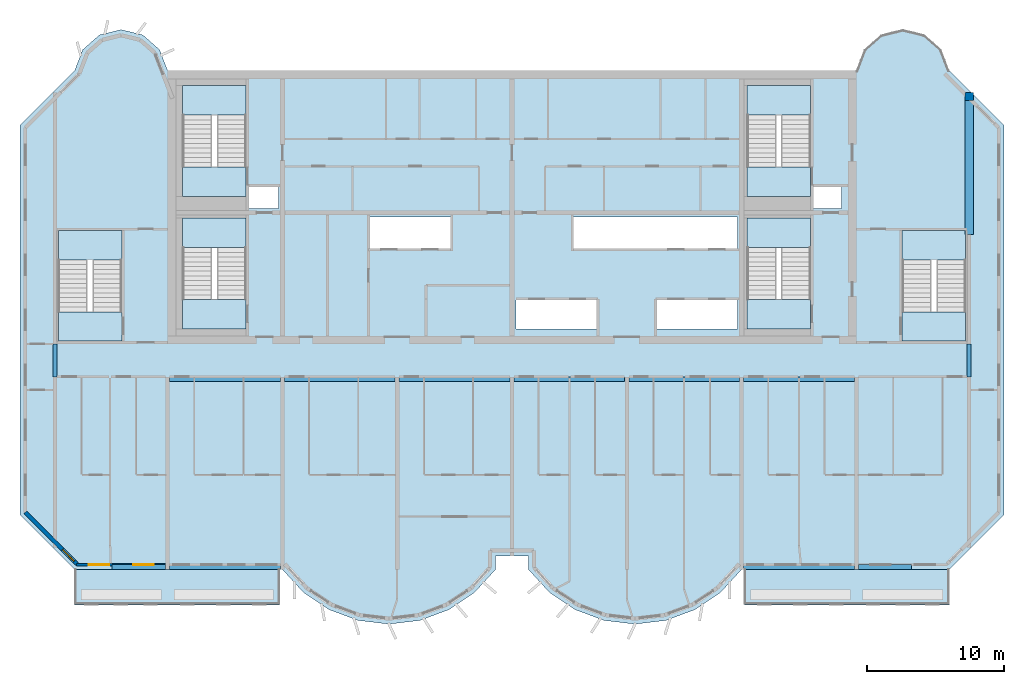
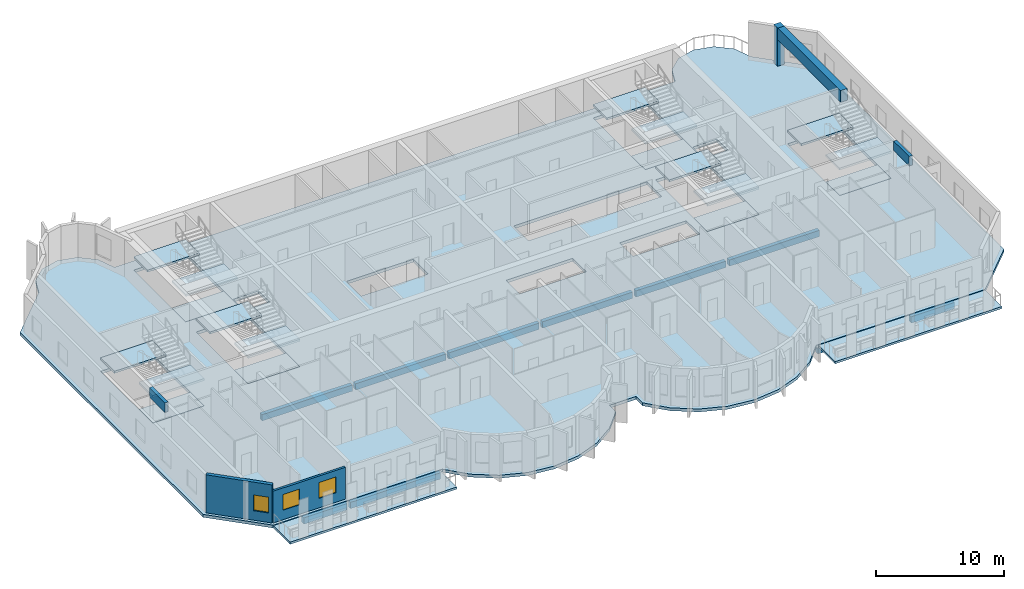
# One storey, part 1 of 12: 21 slabs, 13 beams, 3 windows, 2 walls, 1 column, 3 openings, 6 elements without a shape of their own.
"""IFC4 building model written with IfcOpenShell, lengths in metres."""

from ifc_helpers import new_model, si_unit, direction, frame, frame_2d, origin, origin_2d, place, context, subcontext, project, spatial, polyline, rectangle, outline, extrude, source, transform, mapped, material, layer, layer_set, material_profile, profile_set, type_object, element, fill, aggregate, save


model = new_model("IFC4")

# Units and contexts
model_context = context("Model", 3, precision=1e-05, world=origin(), true_north=direction((0.0, 1.0)))
body_context = subcontext(model_context, "Body", "Model", "MODEL_VIEW")
ifc_project = project(units=[si_unit("LENGTHUNIT", "METRE"), si_unit("AREAUNIT", "SQUARE_METRE"), si_unit("VOLUMEUNIT", "CUBIC_METRE"), si_unit("PLANEANGLEUNIT", "RADIAN"), si_unit("MASSUNIT", "GRAM", prefix="KILO")], contexts=[model_context])

# Site, building, storey
site_placement = place(None, origin())
site = spatial("IfcSite", under=ifc_project, at=site_placement, CompositionType="ELEMENT")
building_placement = place(site_placement, origin())
building = spatial("IfcBuilding", under=site, at=building_placement, Name="Vanashikhar Sky Hotel", CompositionType="ELEMENT")
storey_placement = place(building_placement, frame((0.0, 0.0, 221.800048828125)))
storey = spatial("IfcBuildingStorey", under=building, at=storey_placement, Name="L53", CompositionType="ELEMENT", Elevation=221.800048828125)

# Column
ifc_material_1 = material(Name="Concrete M50", Category="concrete")
ifc_material_profile_1 = material_profile(ifc_material_1, rectangle(XDim=0.60009765625, YDim=0.60009765625, at=origin_2d()))
ifc_profile_set_1 = profile_set([ifc_material_profile_1], Name="RC 600x600 column Concrete M50")
column_type = type_object("IfcColumnType", Name="RC 600x600 column Concrete M50", PredefinedType="COLUMN", material=ifc_profile_set_1)
shared_shape_1 = source(origin(), body_context, "Body", "SweptSolid", [
    extrude(rectangle(XDim=0.60009765625, YDim=0.60009765625, at=origin_2d()), origin(), (0.0, 0.0, 1.0), 3.619873046875),
])
column_placement = place(storey_placement, frame((83.85009765625, 40.10009765625, 0.0), z_axis=(0.0, 0.0, 1.0), x_axis=(1.0, 0.0, 0.0)))
element("IfcColumn", 1, at=column_placement, inside=storey, type_object=column_type, Name="CL-L53-CRF", PredefinedType="COLUMN", context=body_context, shape_type="MappedRepresentation", body=[
    mapped(shared_shape_1, transform((0.0, 0.0, 0.0), scale=1.0)),
])

# Beams
ifc_material_profile_2 = material_profile(ifc_material_1, rectangle(XDim=0.300048828125, YDim=0.89990234375, at=origin_2d()))
ifc_profile_set_2 = profile_set([ifc_material_profile_2], Name="RC 300x900 beam Concrete M50")
beam_type_1 = type_object("IfcBeamType", Name="RC 300x900 beam Concrete M50", PredefinedType="LINTEL", material=ifc_profile_set_2)
shared_shape_2 = source(origin(), body_context, "Body", "SweptSolid", [
    extrude(rectangle(XDim=0.300048828125, YDim=0.89990234375, at=origin_2d()), origin(), (0.0, 0.0, 1.0), 2.39990234375),
])
for number, where, z_axis, x_axis, name in (
    (2, (16.949951171875, 19.60009765625, 3.169921875), (0.0, 1.0, 0.0), (-1.0, 0.0, 0.0), "LB-L53-XW03"),
    (3, (83.85009765625, 19.60009765625, 3.169921875), (0.0, 1.0, 0.0), (-1.0, 0.0, 0.0), "LB-L53-XW11"),
):
    element("IfcBeam", number, at=place(storey_placement, frame(where, z_axis=z_axis, x_axis=x_axis)), inside=storey, type_object=beam_type_1, Name=name, PredefinedType="LINTEL", context=body_context, shape_type="MappedRepresentation", body=[
        mapped(shared_shape_2, transform((0.0, 0.0, 0.0), scale=1.0)),
    ])
ifc_material_profile_3 = material_profile(ifc_material_1, rectangle(XDim=0.35009765625, YDim=0.60009765625, at=origin_2d()))
ifc_profile_set_3 = profile_set([ifc_material_profile_3], Name="RC 350x600 beam Concrete M50")
beam_type_2 = type_object("IfcBeamType", Name="RC 350x600 beam Concrete M50", PredefinedType="SPANDREL", material=ifc_profile_set_3)
shared_shape_3 = source(origin(), body_context, "Body", "SweptSolid", [
    extrude(rectangle(XDim=0.35009765625, YDim=0.60009765625, at=origin_2d()), origin(), (0.0, 0.0, 1.0), 8.099853515625),
])
for number, where, z_axis, x_axis, name in (
    (4, (25.35009765625, 5.675048828125, -0.580078125), (1.0, 0.0, 0.0), (0.0, 1.0, 0.0), "EB-L53-F01"),
    (5, (67.35009765625, 5.675048828125, -0.580078125), (1.0, 0.0, 0.0), (0.0, 1.0, 0.0), "EB-L53-F03"),
    (6, (25.35009765625, 19.425048828125, -0.580078125), (1.0, 0.0, 0.0), (0.0, 1.0, 0.0), "CB-L53-01"),
    (7, (50.550048828125, 19.425048828125, -0.580078125), (1.0, 0.0, 0.0), (0.0, 1.0, 0.0), "CB-L53-04"),
    (8, (67.35009765625, 19.425048828125, -0.580078125), (1.0, 0.0, 0.0), (0.0, 1.0, 0.0), "CB-L53-06"),
):
    element("IfcBeam", number, at=place(storey_placement, frame(where, z_axis=z_axis, x_axis=x_axis)), inside=storey, type_object=beam_type_2, Name=name, PredefinedType="SPANDREL", context=body_context, shape_type="MappedRepresentation", body=[
        mapped(shared_shape_3, transform((0.0, 0.0, 0.0), scale=1.0)),
    ])
ifc_material_profile_4 = material_profile(ifc_material_1, rectangle(XDim=0.35009765625, YDim=0.60009765625, at=origin_2d()))
ifc_profile_set_4 = profile_set([ifc_material_profile_4], Name="RC 350x600 cantilever beam Concrete M50")
beam_type_3 = type_object("IfcBeamType", Name="RC 350x600 cantilever beam Concrete M50", PredefinedType="SPANDREL", material=ifc_profile_set_4)
shared_shape_4 = source(origin(), body_context, "Body", "SweptSolid", [
    extrude(rectangle(XDim=0.35009765625, YDim=0.60009765625, at=origin_2d()), origin(), (0.0, 0.0, 1.0), 3.900146484375),
])
beam_1_placement = place(storey_placement, frame((21.14990234375, 5.675048828125, -0.580078125), z_axis=(1.0, 0.0, 0.0), x_axis=(0.0, 1.0, 0.0)))
element("IfcBeam", 9, at=beam_1_placement, inside=storey, type_object=beam_type_3, Name="EB-L53-F02", PredefinedType="SPANDREL", context=body_context, shape_type="MappedRepresentation", body=[
    mapped(shared_shape_4, transform((0.0, 0.0, 0.0), scale=1.0)),
])
shared_shape_5 = source(origin(), body_context, "Body", "SweptSolid", [
    extrude(rectangle(XDim=0.35009765625, YDim=0.60009765625, at=origin_2d()), origin(), (0.0, 0.0, 1.0), 3.89990234375),
])
beam_2_placement = place(storey_placement, frame((75.75, 5.675048828125, -0.580078125), z_axis=(1.0, 0.0, 0.0), x_axis=(0.0, 1.0, 0.0)))
element("IfcBeam", 10, at=beam_2_placement, inside=storey, type_object=beam_type_3, Name="EB-L53-F04", PredefinedType="SPANDREL", context=body_context, shape_type="MappedRepresentation", body=[
    mapped(shared_shape_5, transform((0.0, 0.0, 0.0), scale=1.0)),
])
shared_shape_6 = source(origin(), body_context, "Body", "SweptSolid", [
    extrude(rectangle(XDim=0.35009765625, YDim=0.60009765625, at=origin_2d()), origin(), (0.0, 0.0, 1.0), 8.10009765625),
])
for number, where, z_axis, x_axis, name in (
    (11, (33.75, 19.425048828125, -0.580078125), (1.0, 0.0, 0.0), (0.0, 1.0, 0.0), "CB-L53-02"),
    (12, (42.14990234375, 19.425048828125, -0.580078125), (1.0, 0.0, 0.0), (0.0, 1.0, 0.0), "CB-L53-03"),
    (13, (58.949951171875, 19.425048828125, -0.580078125), (1.0, 0.0, 0.0), (0.0, 1.0, 0.0), "CB-L53-05"),
):
    element("IfcBeam", number, at=place(storey_placement, frame(where, z_axis=z_axis, x_axis=x_axis)), inside=storey, type_object=beam_type_2, Name=name, PredefinedType="SPANDREL", context=body_context, shape_type="MappedRepresentation", body=[
        mapped(shared_shape_6, transform((0.0, 0.0, 0.0), scale=1.0)),
    ])
ifc_material_profile_5 = material_profile(ifc_material_1, rectangle(XDim=0.60009765625, YDim=1.10009765625, at=origin_2d()))
ifc_profile_set_5 = profile_set([ifc_material_profile_5], Name="RC 600x1100 beam Concrete M50")
beam_type_4 = type_object("IfcBeamType", Name="RC 600x1100 beam Concrete M50", PredefinedType="BEAM", material=ifc_profile_set_5)
shared_shape_7 = source(origin(), body_context, "Body", "SweptSolid", [
    extrude(rectangle(XDim=0.60009765625, YDim=1.10009765625, at=origin_2d()), origin(), (0.0, 0.0, 1.0), 9.800048828125),
])
beam_3_placement = place(storey_placement, frame((83.85009765625, 30.0, 3.070068359375), z_axis=(0.0, 1.0, 0.0), x_axis=(-1.0, 0.0, 0.0)))
element("IfcBeam", 14, at=beam_3_placement, inside=storey, type_object=beam_type_4, Name="LB-L53-XW11-O1", PredefinedType="BEAM", context=body_context, shape_type="MappedRepresentation", body=[
    mapped(shared_shape_7, transform((0.0, 0.0, 0.0), scale=1.0)),
])

# Slabs
ifc_material_2 = material(Name="Concrete M40", Category="concrete")
ifc_layer_1 = layer(ifc_material_2, 0.280029296875)
ifc_layer_set_1 = layer_set([ifc_layer_1], Name="Floor slab 280 mm")
slab_type_1 = type_object("IfcSlabType", Name="Floor slab 280 mm", PredefinedType="FLOOR", material=ifc_layer_set_1)
shared_shape_8 = source(origin(), body_context, "Body", "SweptSolid", [
    extrude(outline(polyline([(49.199951171875, 5.5), (49.199951171875, 6.5), (51.60009765625, 6.5), (51.60009765625, 5.5), (53.133056640625, 3.825927734375), (55.01708984375, 2.55810546875), (57.14599609375, 1.76806640625), (59.39990234375, 1.5), (61.654052734375, 1.76806640625), (63.782958984375, 2.55810546875), (65.6669921875, 3.825927734375), (67.199951171875, 5.5), (82.39990234375, 5.5), (86.39990234375, 9.5), (86.39990234375, 38.0), (82.39990234375, 42.0), (81.81494140625, 43.527099609375), (80.587890625, 44.610107421875), (79.0, 45.0), (77.412109375, 44.610107421875), (76.18505859375, 43.527099609375), (75.60009765625, 42.0), (25.199951171875, 42.0), (24.614990234375, 43.527099609375), (23.387939453125, 44.610107421875), (21.800048828125, 45.0), (20.2119140625, 44.610107421875), (18.985107421875, 43.527099609375), (18.39990234375, 42.0), (14.39990234375, 38.0), (14.39990234375, 9.5), (18.39990234375, 5.5), (33.60009765625, 5.5), (35.133056640625, 3.825927734375), (37.01708984375, 2.55810546875), (39.14599609375, 1.76806640625), (41.39990234375, 1.5), (43.654052734375, 1.76806640625), (45.782958984375, 2.55810546875), (47.6669921875, 3.825927734375), (49.199951171875, 5.5)]), holes=[polyline([(33.300048828125, 33.60009765625), (31.050048828125, 33.60009765625), (31.050048828125, 31.89990234375), (33.300048828125, 31.89990234375), (33.300048828125, 33.60009765625)]), polyline([(39.89990234375, 31.300048828125), (39.89990234375, 29.0), (45.89990234375, 29.0), (45.89990234375, 31.300048828125), (39.89990234375, 31.300048828125)]), polyline([(50.699951171875, 25.199951171875), (50.699951171875, 23.10009765625), (56.699951171875, 23.10009765625), (56.699951171875, 25.199951171875), (50.699951171875, 25.199951171875)]), polyline([(66.89990234375, 29.0), (66.89990234375, 31.300048828125), (54.89990234375, 31.300048828125), (54.89990234375, 29.0), (66.89990234375, 29.0)]), polyline([(60.89990234375, 25.199951171875), (60.89990234375, 23.10009765625), (66.89990234375, 23.10009765625), (66.89990234375, 25.199951171875), (60.89990234375, 25.199951171875)]), polyline([(74.5, 33.60009765625), (72.35009765625, 33.60009765625), (72.35009765625, 31.89990234375), (74.5, 31.89990234375), (74.5, 33.60009765625)]), polyline([(30.949951171875, 23.10009765625), (30.949951171875, 31.199951171875), (26.300048828125, 31.199951171875), (26.300048828125, 23.10009765625), (30.949951171875, 23.10009765625)]), polyline([(72.25, 23.10009765625), (72.25, 31.199951171875), (67.60009765625, 31.199951171875), (67.60009765625, 23.10009765625), (72.25, 23.10009765625)]), polyline([(30.949951171875, 32.800048828125), (30.949951171875, 40.89990234375), (26.300048828125, 40.89990234375), (26.300048828125, 32.800048828125), (30.949951171875, 32.800048828125)]), polyline([(72.25, 32.800048828125), (72.25, 40.89990234375), (67.60009765625, 40.89990234375), (67.60009765625, 32.800048828125), (72.25, 32.800048828125)]), polyline([(83.60009765625, 22.199951171875), (83.60009765625, 30.300048828125), (78.949951171875, 30.300048828125), (78.949951171875, 22.199951171875), (83.60009765625, 22.199951171875)]), polyline([(21.85009765625, 22.199951171875), (21.85009765625, 30.300048828125), (17.199951171875, 30.300048828125), (17.199951171875, 22.199951171875), (21.85009765625, 22.199951171875)])]), origin(), (0.0, 0.0, 1.0), 0.280029296875),
])
slab_1_placement = place(storey_placement, frame((0.0, 0.0, -0.280029296875)))
element("IfcSlab", 15, at=slab_1_placement, inside=storey, type_object=slab_type_1, Name="Floor slab L53", PredefinedType="FLOOR", context=body_context, shape_type="MappedRepresentation", body=[
    mapped(shared_shape_8, transform((0.0, 0.0, 0.0), scale=1.0)),
])
ifc_layer_2 = layer(ifc_material_2, 0.199951171875)
ifc_layer_set_2 = layer_set([ifc_layer_2], Name="Balcony slab 200 mm")
slab_type_2 = type_object("IfcSlabType", Name="Balcony slab 200 mm", PredefinedType="USERDEFINED", material=ifc_layer_set_2)
shared_shape_9 = source(origin(), body_context, "Body", "SweptSolid", [
    extrude(outline(polyline([(18.39990234375, 2.89990234375), (33.39990234375, 2.89990234375), (33.39990234375, 5.5), (18.39990234375, 5.5), (18.39990234375, 2.89990234375)])), origin(), (0.0, 0.0, 1.0), 0.199951171875),
])
slab_2_placement = place(storey_placement, frame((0.0, 0.0, -0.25)))
element("IfcSlab", 16, at=slab_2_placement, inside=storey, type_object=slab_type_2, Name="Balcony slab L53 1", ObjectType="BALCONY", PredefinedType="USERDEFINED", context=body_context, shape_type="MappedRepresentation", body=[
    mapped(shared_shape_9, transform((0.0, 0.0, 0.0), scale=1.0)),
])
shared_shape_10 = source(origin(), body_context, "Body", "SweptSolid", [
    extrude(outline(polyline([(67.39990234375, 2.89990234375), (82.39990234375, 2.89990234375), (82.39990234375, 5.5), (67.39990234375, 5.5), (67.39990234375, 2.89990234375)])), origin(), (0.0, 0.0, 1.0), 0.199951171875),
])
slab_3_placement = place(storey_placement, frame((0.0, 0.0, -0.25)))
element("IfcSlab", 17, at=slab_3_placement, inside=storey, type_object=slab_type_2, Name="Balcony slab L53 2", ObjectType="BALCONY", PredefinedType="USERDEFINED", context=body_context, shape_type="MappedRepresentation", body=[
    mapped(shared_shape_10, transform((0.0, 0.0, 0.0), scale=1.0)),
])

# Stair, slabs
stair_type = type_object("IfcStairType", Name="Exit stair 2150", PredefinedType="DOUBLE_RETURN_STAIR", material=ifc_material_2)
stair_1_placement = place(storey_placement, origin())
stair_1 = element("IfcStair", 18, at=stair_1_placement, inside=storey, type_object=stair_type, Name="L53 Exit stair 1", PredefinedType="DOUBLE_RETURN_STAIR")
ifc_layer_3 = layer(ifc_material_2, 0.199951171875)
ifc_layer_set_3 = layer_set([ifc_layer_3], Name="Stair landing 200")
slab_type_3 = type_object("IfcSlabType", Name="Stair landing 200", PredefinedType="LANDING", material=ifc_layer_set_3)
shared_shape_11 = source(origin(), body_context, "Body", "SweptSolid", [
    extrude(outline(polyline([(30.949951171875, 23.10009765625), (30.949951171875, 25.25), (26.300048828125, 25.25), (26.300048828125, 23.10009765625), (30.949951171875, 23.10009765625)])), origin(), (0.0, 0.0, 1.0), 0.199951171875),
])
slab_4_placement = place(storey_placement, frame((0.0, 0.0, 2.39990234375)))
slab_4 = element("IfcSlab", 19, at=slab_4_placement, type_object=slab_type_3, Name="ST-C1 landing 2", PredefinedType="LANDING", context=body_context, shape_type="MappedRepresentation", body=[
    mapped(shared_shape_11, transform((0.0, 0.0, 0.0), scale=1.0)),
])
shared_shape_12 = source(origin(), body_context, "Body", "SweptSolid", [
    extrude(outline(polyline([(30.949951171875, 29.050048828125), (30.949951171875, 31.199951171875), (26.300048828125, 31.199951171875), (26.300048828125, 29.050048828125), (30.949951171875, 29.050048828125)])), origin(), (0.0, 0.0, 1.0), 0.2001953125),
])
slab_5_placement = place(storey_placement, frame((0.0, 0.0, 1.099853515625)))
slab_5 = element("IfcSlab", 20, at=slab_5_placement, type_object=slab_type_3, Name="ST-C1 landing 1", PredefinedType="LANDING", context=body_context, shape_type="MappedRepresentation", body=[
    mapped(shared_shape_12, transform((0.0, 0.0, 0.0), scale=1.0)),
])
aggregate(stair_1, [slab_5, slab_4])

# Slab
ifc_layer_4 = layer(ifc_material_2, 0.280029296875)
ifc_layer_set_4 = layer_set([ifc_layer_4], Name="Stair floor landing 280")
slab_type_4 = type_object("IfcSlabType", Name="Stair floor landing 280", PredefinedType="LANDING", material=ifc_layer_set_4)
shared_shape_13 = source(origin(), body_context, "Body", "SweptSolid", [
    extrude(outline(polyline([(30.949951171875, 23.10009765625), (30.949951171875, 25.25), (26.300048828125, 25.25), (26.300048828125, 23.10009765625), (30.949951171875, 23.10009765625)])), origin(), (0.0, 0.0, 1.0), 0.280029296875),
])
slab_6_placement = place(storey_placement, frame((0.0, 0.0, -0.280029296875)))
element("IfcSlab", 21, at=slab_6_placement, inside=storey, type_object=slab_type_4, Name="Exit stair 1 floor landing", PredefinedType="LANDING", context=body_context, shape_type="MappedRepresentation", body=[
    mapped(shared_shape_13, transform((0.0, 0.0, 0.0), scale=1.0)),
])

# Stair, slabs
stair_2_placement = place(storey_placement, origin())
stair_2 = element("IfcStair", 22, at=stair_2_placement, inside=storey, type_object=stair_type, Name="L53 Exit stair 2", PredefinedType="DOUBLE_RETURN_STAIR")
shared_shape_14 = source(origin(), body_context, "Body", "SweptSolid", [
    extrude(outline(polyline([(72.25, 23.10009765625), (72.25, 25.25), (67.60009765625, 25.25), (67.60009765625, 23.10009765625), (72.25, 23.10009765625)])), origin(), (0.0, 0.0, 1.0), 0.199951171875),
])
slab_7_placement = place(storey_placement, frame((0.0, 0.0, 2.39990234375)))
slab_7 = element("IfcSlab", 23, at=slab_7_placement, type_object=slab_type_3, Name="ST-C2 landing 2", PredefinedType="LANDING", context=body_context, shape_type="MappedRepresentation", body=[
    mapped(shared_shape_14, transform((0.0, 0.0, 0.0), scale=1.0)),
])
shared_shape_15 = source(origin(), body_context, "Body", "SweptSolid", [
    extrude(outline(polyline([(72.25, 29.050048828125), (72.25, 31.199951171875), (67.60009765625, 31.199951171875), (67.60009765625, 29.050048828125), (72.25, 29.050048828125)])), origin(), (0.0, 0.0, 1.0), 0.2001953125),
])
slab_8_placement = place(storey_placement, frame((0.0, 0.0, 1.099853515625)))
slab_8 = element("IfcSlab", 24, at=slab_8_placement, type_object=slab_type_3, Name="ST-C2 landing 1", PredefinedType="LANDING", context=body_context, shape_type="MappedRepresentation", body=[
    mapped(shared_shape_15, transform((0.0, 0.0, 0.0), scale=1.0)),
])
aggregate(stair_2, [slab_8, slab_7])

# Slab
shared_shape_16 = source(origin(), body_context, "Body", "SweptSolid", [
    extrude(outline(polyline([(72.25, 23.10009765625), (72.25, 25.25), (67.60009765625, 25.25), (67.60009765625, 23.10009765625), (72.25, 23.10009765625)])), origin(), (0.0, 0.0, 1.0), 0.280029296875),
])
slab_9_placement = place(storey_placement, frame((0.0, 0.0, -0.280029296875)))
element("IfcSlab", 25, at=slab_9_placement, inside=storey, type_object=slab_type_4, Name="Exit stair 2 floor landing", PredefinedType="LANDING", context=body_context, shape_type="MappedRepresentation", body=[
    mapped(shared_shape_16, transform((0.0, 0.0, 0.0), scale=1.0)),
])

# Stair, slabs
stair_3_placement = place(storey_placement, origin())
stair_3 = element("IfcStair", 26, at=stair_3_placement, inside=storey, type_object=stair_type, Name="L53 Exit stair 3", PredefinedType="DOUBLE_RETURN_STAIR")
shared_shape_17 = source(origin(), body_context, "Body", "SweptSolid", [
    extrude(outline(polyline([(21.85009765625, 22.199951171875), (21.85009765625, 24.35009765625), (17.199951171875, 24.35009765625), (17.199951171875, 22.199951171875), (21.85009765625, 22.199951171875)])), origin(), (0.0, 0.0, 1.0), 0.199951171875),
])
slab_10_placement = place(storey_placement, frame((0.0, 0.0, 2.39990234375)))
slab_10 = element("IfcSlab", 27, at=slab_10_placement, type_object=slab_type_3, Name="ST-W landing 2", PredefinedType="LANDING", context=body_context, shape_type="MappedRepresentation", body=[
    mapped(shared_shape_17, transform((0.0, 0.0, 0.0), scale=1.0)),
])
shared_shape_18 = source(origin(), body_context, "Body", "SweptSolid", [
    extrude(outline(polyline([(21.85009765625, 28.14990234375), (21.85009765625, 30.300048828125), (17.199951171875, 30.300048828125), (17.199951171875, 28.14990234375), (21.85009765625, 28.14990234375)])), origin(), (0.0, 0.0, 1.0), 0.2001953125),
])
slab_11_placement = place(storey_placement, frame((0.0, 0.0, 1.099853515625)))
slab_11 = element("IfcSlab", 28, at=slab_11_placement, type_object=slab_type_3, Name="ST-W landing 1", PredefinedType="LANDING", context=body_context, shape_type="MappedRepresentation", body=[
    mapped(shared_shape_18, transform((0.0, 0.0, 0.0), scale=1.0)),
])
aggregate(stair_3, [slab_11, slab_10])

# Slab
shared_shape_19 = source(origin(), body_context, "Body", "SweptSolid", [
    extrude(outline(polyline([(21.85009765625, 22.199951171875), (21.85009765625, 24.35009765625), (17.199951171875, 24.35009765625), (17.199951171875, 22.199951171875), (21.85009765625, 22.199951171875)])), origin(), (0.0, 0.0, 1.0), 0.280029296875),
])
slab_12_placement = place(storey_placement, frame((0.0, 0.0, -0.280029296875)))
element("IfcSlab", 29, at=slab_12_placement, inside=storey, type_object=slab_type_4, Name="Exit stair 3 floor landing", PredefinedType="LANDING", context=body_context, shape_type="MappedRepresentation", body=[
    mapped(shared_shape_19, transform((0.0, 0.0, 0.0), scale=1.0)),
])

# Stair, slabs
stair_4_placement = place(storey_placement, origin())
stair_4 = element("IfcStair", 30, at=stair_4_placement, inside=storey, type_object=stair_type, Name="L53 Exit stair 4", PredefinedType="DOUBLE_RETURN_STAIR")
shared_shape_20 = source(origin(), body_context, "Body", "SweptSolid", [
    extrude(outline(polyline([(83.60009765625, 22.199951171875), (83.60009765625, 24.35009765625), (78.949951171875, 24.35009765625), (78.949951171875, 22.199951171875), (83.60009765625, 22.199951171875)])), origin(), (0.0, 0.0, 1.0), 0.199951171875),
])
slab_13_placement = place(storey_placement, frame((0.0, 0.0, 2.39990234375)))
slab_13 = element("IfcSlab", 31, at=slab_13_placement, type_object=slab_type_3, Name="ST-E landing 2", PredefinedType="LANDING", context=body_context, shape_type="MappedRepresentation", body=[
    mapped(shared_shape_20, transform((0.0, 0.0, 0.0), scale=1.0)),
])
shared_shape_21 = source(origin(), body_context, "Body", "SweptSolid", [
    extrude(outline(polyline([(83.60009765625, 28.14990234375), (83.60009765625, 30.300048828125), (78.949951171875, 30.300048828125), (78.949951171875, 28.14990234375), (83.60009765625, 28.14990234375)])), origin(), (0.0, 0.0, 1.0), 0.2001953125),
])
slab_14_placement = place(storey_placement, frame((0.0, 0.0, 1.099853515625)))
slab_14 = element("IfcSlab", 32, at=slab_14_placement, type_object=slab_type_3, Name="ST-E landing 1", PredefinedType="LANDING", context=body_context, shape_type="MappedRepresentation", body=[
    mapped(shared_shape_21, transform((0.0, 0.0, 0.0), scale=1.0)),
])
aggregate(stair_4, [slab_14, slab_13])

# Slab
shared_shape_22 = source(origin(), body_context, "Body", "SweptSolid", [
    extrude(outline(polyline([(83.60009765625, 22.199951171875), (83.60009765625, 24.35009765625), (78.949951171875, 24.35009765625), (78.949951171875, 22.199951171875), (83.60009765625, 22.199951171875)])), origin(), (0.0, 0.0, 1.0), 0.280029296875),
])
slab_15_placement = place(storey_placement, frame((0.0, 0.0, -0.280029296875)))
element("IfcSlab", 33, at=slab_15_placement, inside=storey, type_object=slab_type_4, Name="Exit stair 4 floor landing", PredefinedType="LANDING", context=body_context, shape_type="MappedRepresentation", body=[
    mapped(shared_shape_22, transform((0.0, 0.0, 0.0), scale=1.0)),
])

# Stair, slabs
stair_5_placement = place(storey_placement, origin())
stair_5 = element("IfcStair", 34, at=stair_5_placement, inside=storey, type_object=stair_type, Name="L53 Exit stair 5", PredefinedType="DOUBLE_RETURN_STAIR")
shared_shape_23 = source(origin(), body_context, "Body", "SweptSolid", [
    extrude(outline(polyline([(30.949951171875, 32.800048828125), (30.949951171875, 34.949951171875), (26.300048828125, 34.949951171875), (26.300048828125, 32.800048828125), (30.949951171875, 32.800048828125)])), origin(), (0.0, 0.0, 1.0), 0.199951171875),
])
slab_16_placement = place(storey_placement, frame((0.0, 0.0, 2.39990234375)))
slab_16 = element("IfcSlab", 35, at=slab_16_placement, type_object=slab_type_3, Name="ST-C3 landing 2", PredefinedType="LANDING", context=body_context, shape_type="MappedRepresentation", body=[
    mapped(shared_shape_23, transform((0.0, 0.0, 0.0), scale=1.0)),
])
shared_shape_24 = source(origin(), body_context, "Body", "SweptSolid", [
    extrude(outline(polyline([(30.949951171875, 38.75), (30.949951171875, 40.89990234375), (26.300048828125, 40.89990234375), (26.300048828125, 38.75), (30.949951171875, 38.75)])), origin(), (0.0, 0.0, 1.0), 0.2001953125),
])
slab_17_placement = place(storey_placement, frame((0.0, 0.0, 1.099853515625)))
slab_17 = element("IfcSlab", 36, at=slab_17_placement, type_object=slab_type_3, Name="ST-C3 landing 1", PredefinedType="LANDING", context=body_context, shape_type="MappedRepresentation", body=[
    mapped(shared_shape_24, transform((0.0, 0.0, 0.0), scale=1.0)),
])
aggregate(stair_5, [slab_17, slab_16])

# Slab
shared_shape_25 = source(origin(), body_context, "Body", "SweptSolid", [
    extrude(outline(polyline([(30.949951171875, 32.800048828125), (30.949951171875, 34.949951171875), (26.300048828125, 34.949951171875), (26.300048828125, 32.800048828125), (30.949951171875, 32.800048828125)])), origin(), (0.0, 0.0, 1.0), 0.280029296875),
])
slab_18_placement = place(storey_placement, frame((0.0, 0.0, -0.280029296875)))
element("IfcSlab", 37, at=slab_18_placement, inside=storey, type_object=slab_type_4, Name="Exit stair 5 floor landing", PredefinedType="LANDING", context=body_context, shape_type="MappedRepresentation", body=[
    mapped(shared_shape_25, transform((0.0, 0.0, 0.0), scale=1.0)),
])

# Stair, slabs
stair_6_placement = place(storey_placement, origin())
stair_6 = element("IfcStair", 38, at=stair_6_placement, inside=storey, type_object=stair_type, Name="L53 Exit stair 6", PredefinedType="DOUBLE_RETURN_STAIR")
shared_shape_26 = source(origin(), body_context, "Body", "SweptSolid", [
    extrude(outline(polyline([(72.25, 32.800048828125), (72.25, 34.949951171875), (67.60009765625, 34.949951171875), (67.60009765625, 32.800048828125), (72.25, 32.800048828125)])), origin(), (0.0, 0.0, 1.0), 0.199951171875),
])
slab_19_placement = place(storey_placement, frame((0.0, 0.0, 2.39990234375)))
slab_19 = element("IfcSlab", 39, at=slab_19_placement, type_object=slab_type_3, Name="ST-C4 landing 2", PredefinedType="LANDING", context=body_context, shape_type="MappedRepresentation", body=[
    mapped(shared_shape_26, transform((0.0, 0.0, 0.0), scale=1.0)),
])
shared_shape_27 = source(origin(), body_context, "Body", "SweptSolid", [
    extrude(outline(polyline([(72.25, 38.75), (72.25, 40.89990234375), (67.60009765625, 40.89990234375), (67.60009765625, 38.75), (72.25, 38.75)])), origin(), (0.0, 0.0, 1.0), 0.2001953125),
])
slab_20_placement = place(storey_placement, frame((0.0, 0.0, 1.099853515625)))
slab_20 = element("IfcSlab", 40, at=slab_20_placement, type_object=slab_type_3, Name="ST-C4 landing 1", PredefinedType="LANDING", context=body_context, shape_type="MappedRepresentation", body=[
    mapped(shared_shape_27, transform((0.0, 0.0, 0.0), scale=1.0)),
])
aggregate(stair_6, [slab_20, slab_19])

# Slab
shared_shape_28 = source(origin(), body_context, "Body", "SweptSolid", [
    extrude(outline(polyline([(72.25, 32.800048828125), (72.25, 34.949951171875), (67.60009765625, 34.949951171875), (67.60009765625, 32.800048828125), (72.25, 32.800048828125)])), origin(), (0.0, 0.0, 1.0), 0.280029296875),
])
slab_21_placement = place(storey_placement, frame((0.0, 0.0, -0.280029296875)))
element("IfcSlab", 41, at=slab_21_placement, inside=storey, type_object=slab_type_4, Name="Exit stair 6 floor landing", PredefinedType="LANDING", context=body_context, shape_type="MappedRepresentation", body=[
    mapped(shared_shape_28, transform((0.0, 0.0, 0.0), scale=1.0)),
])

# Wall, openings, windows
ifc_layer_5 = layer(ifc_material_1, 0.199951171875)
ifc_layer_set_5 = layer_set([ifc_layer_5], Name="Front window wall 200")
wall_type_1 = type_object("IfcWallType", Name="Front window wall 200", PredefinedType="SOLIDWALL", material=ifc_layer_set_5)
shared_shape_29 = source(origin(), body_context, "Body", "SweptSolid", [
    extrude(rectangle(XDim=6.505126953125, YDim=0.199951171875, at=frame_2d((3.25244140625, 0.0))), origin(), (0.0, 0.0, 1.0), 3.02001953125),
])
wall_1_placement = place(storey_placement, frame((18.544921875, 5.85009765625, 0.0), z_axis=(0.0, 0.0, 1.0), x_axis=(1.0, 0.0, 0.0)))
wall_1 = element("IfcWall", 42, at=wall_1_placement, inside=storey, type_object=wall_type_1, Name="Front window wall", PredefinedType="SOLIDWALL", context=body_context, shape_type="MappedRepresentation", body=[
    mapped(shared_shape_29, transform((0.0, 0.0, 0.0), scale=1.0)),
])
shared_shape_30 = source(origin(), body_context, "Body", "SweptSolid", [
    extrude(rectangle(XDim=1.5, YDim=1.5, at=frame_2d((0.75, 0.75))), frame((0.0, 0.10986328125, 0.0), z_axis=(0.0, -1.0, 0.0), x_axis=(1.0, 0.0, 0.0)), (0.0, 0.0, 1.0), 0.219970703125),
])
opening_1_placement = place(wall_1_placement, frame((0.876220703125, 0.0, 0.89990234375)))
opening_1 = element("IfcOpeningElement", 43, at=opening_1_placement, cuts=wall_1, Name="Opening WN-1", PredefinedType="OPENING", context=body_context, shape_type="MappedRepresentation", body=[
    mapped(shared_shape_30, transform((0.0, 0.0, 0.0), scale=1.0)),
])
opening_2_placement = place(wall_1_placement, frame((4.128662109375, 0.0, 0.89990234375)))
opening_2 = element("IfcOpeningElement", 44, at=opening_2_placement, cuts=wall_1, Name="Opening WN-1", PredefinedType="OPENING", context=body_context, shape_type="MappedRepresentation", body=[
    mapped(shared_shape_30, transform((0.0, 0.0, 0.0), scale=1.0)),
])
ifc_material_3 = material(Name="Glass", Category="glass")
window_type_1 = type_object("IfcWindowType", Name="Window 1500 x 1500", PartitioningType="SINGLE_PANEL", PredefinedType="WINDOW", material=ifc_material_3)
shared_shape_31 = source(origin(), body_context, "Body", "SweptSolid", [
    extrude(rectangle(XDim=1.5, YDim=1.5, at=frame_2d((0.75, 0.75))), frame((0.0, 0.030029296875, 0.0), z_axis=(0.0, -1.0, 0.0), x_axis=(1.0, 0.0, 0.0)), (0.0, 0.0, 1.0), 0.06005859375),
])
window_1_placement = place(opening_1_placement, origin())
window_1 = element("IfcWindow", 45, at=window_1_placement, inside=storey, type_object=window_type_1, Name="Window WN-1", OverallHeight=1.5, OverallWidth=1.5, PartitioningType="SINGLE_PANEL", PredefinedType="WINDOW", context=body_context, shape_type="MappedRepresentation", body=[
    mapped(shared_shape_31, transform((0.0, 0.0, 0.0), scale=1.0)),
])
fill(opening_1, window_1)
window_2_placement = place(opening_2_placement, origin())
window_2 = element("IfcWindow", 46, at=window_2_placement, inside=storey, type_object=window_type_1, Name="Window WN-1", OverallHeight=1.5, OverallWidth=1.5, PartitioningType="SINGLE_PANEL", PredefinedType="WINDOW", context=body_context, shape_type="MappedRepresentation", body=[
    mapped(shared_shape_31, transform((0.0, 0.0, 0.0), scale=1.0)),
])
fill(opening_2, window_2)

# Wall, opening, window
ifc_layer_6 = layer(ifc_material_1, 0.300048828125)
ifc_layer_set_6 = layer_set([ifc_layer_6], Name="Lobe wall 300")
wall_type_2 = type_object("IfcWallType", Name="Lobe wall 300", PredefinedType="SOLIDWALL", material=ifc_layer_set_6)
shared_shape_32 = source(origin(), body_context, "Body", "SweptSolid", [
    extrude(rectangle(XDim=5.32568359375, YDim=0.300048828125, at=frame_2d((2.662841796875, 0.0))), origin(), (0.0, 0.0, 1.0), 3.619873046875),
])
wall_2_placement = place(storey_placement, frame((14.800048828125, 9.665771484375, 0.0), z_axis=(0.0, 0.0, 1.0), x_axis=(0.707083859269, -0.707129702361, 0.0)))
wall_2 = element("IfcWall", 47, at=wall_2_placement, inside=storey, type_object=wall_type_2, Name="Corner wall", PredefinedType="SOLIDWALL", context=body_context, shape_type="MappedRepresentation", body=[
    mapped(shared_shape_32, transform((0.0, 0.0, 0.0), scale=1.0)),
])
shared_shape_33 = source(origin(), body_context, "Body", "SweptSolid", [
    extrude(rectangle(XDim=1.199951171875, YDim=1.5, at=frame_2d((0.60009765625, 0.75))), frame((0.0, 0.16015625, 0.0), z_axis=(0.0, -1.0, 0.0), x_axis=(1.0, 0.0, 0.0)), (0.0, 0.0, 1.0), 0.320068359375),
])
opening_3_placement = place(wall_2_placement, frame((3.8330078125, 0.0, 0.89990234375)))
opening_3 = element("IfcOpeningElement", 48, at=opening_3_placement, cuts=wall_2, Name="Opening WN-3", PredefinedType="OPENING", context=body_context, shape_type="MappedRepresentation", body=[
    mapped(shared_shape_33, transform((0.0, 0.0, 0.0), scale=1.0)),
])
window_type_2 = type_object("IfcWindowType", Name="Corridor end window 1200 x 1500", PartitioningType="SINGLE_PANEL", PredefinedType="WINDOW", material=ifc_material_3)
shared_shape_34 = source(origin(), body_context, "Body", "SweptSolid", [
    extrude(rectangle(XDim=1.199951171875, YDim=1.5, at=frame_2d((0.60009765625, 0.75))), frame((0.0, 0.030029296875, 0.0), z_axis=(0.0, -1.0, 0.0), x_axis=(1.0, 0.0, 0.0)), (0.0, 0.0, 1.0), 0.06005859375),
])
window_3_placement = place(opening_3_placement, origin())
window_3 = element("IfcWindow", 49, at=window_3_placement, inside=storey, type_object=window_type_2, Name="Window WN-3", OverallHeight=1.5, OverallWidth=1.199951171875, PartitioningType="SINGLE_PANEL", PredefinedType="WINDOW", context=body_context, shape_type="MappedRepresentation", body=[
    mapped(shared_shape_34, transform((0.0, 0.0, 0.0), scale=1.0)),
])
fill(opening_3, window_3)

save(model, "model.ifc")
